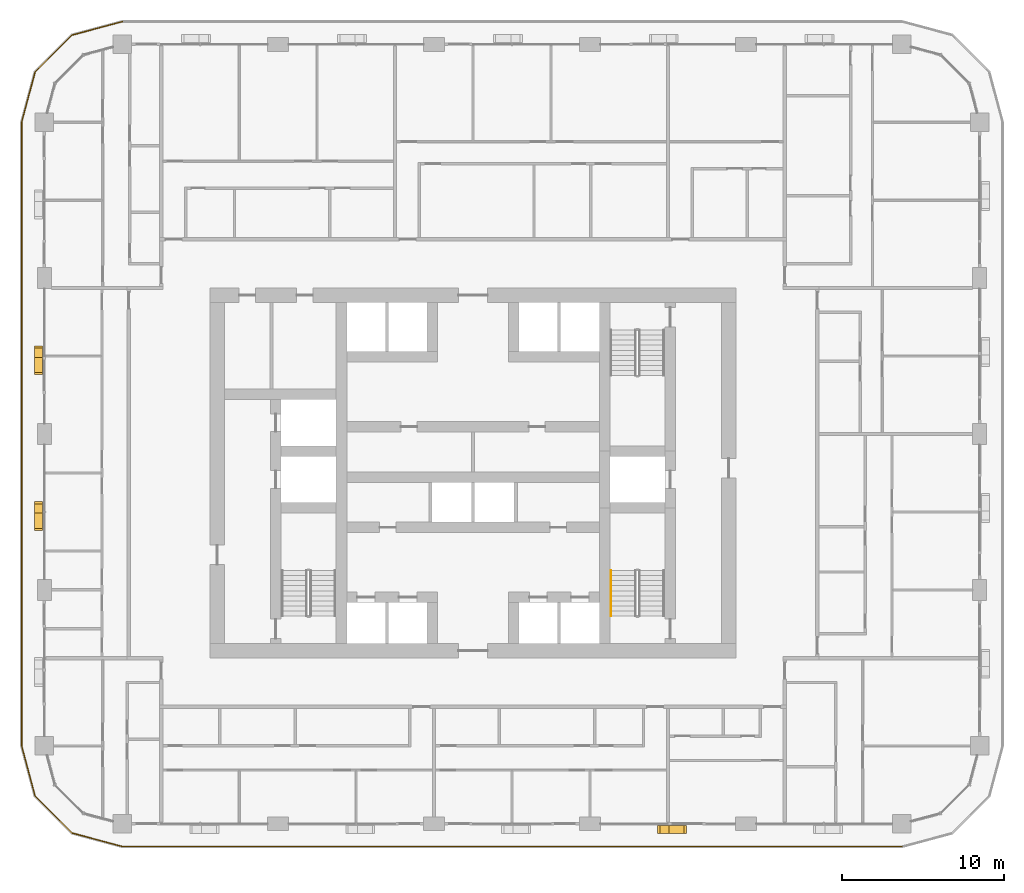
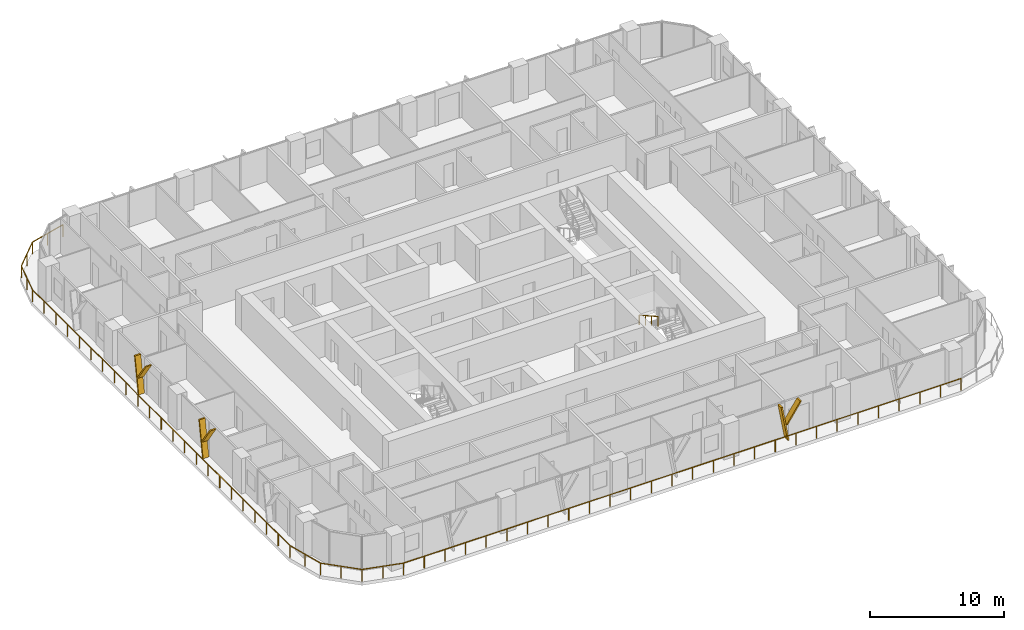
# One storey, part 17 of 21: 6 shading devices, 2 railings.
"""IFC4 building model written with IfcOpenShell, lengths in metres."""

from ifc_helpers import new_model, si_unit, direction, frame, origin, origin_2d, place, context, subcontext, project, spatial, polyline, circle, outline, extrude, material, type_object, element, save


model = new_model("IFC4")

# Units and contexts
model_context = context("Model", 3, precision=1e-05, world=origin(), true_north=direction((0.0, 1.0)))
body_context = subcontext(model_context, "Body", "Model", "MODEL_VIEW")
ifc_project = project(units=[si_unit("LENGTHUNIT", "METRE"), si_unit("AREAUNIT", "SQUARE_METRE"), si_unit("VOLUMEUNIT", "CUBIC_METRE"), si_unit("PLANEANGLEUNIT", "RADIAN"), si_unit("MASSUNIT", "GRAM", prefix="KILO")], contexts=[model_context])

# Site, building, storey
site_placement = place(None, origin())
site = spatial("IfcSite", under=ifc_project, at=site_placement, CompositionType="ELEMENT")
building_placement = place(site_placement, origin())
building = spatial("IfcBuilding", under=site, at=building_placement, Name="Madar Terraces", CompositionType="ELEMENT")
storey_placement = place(building_placement, frame((0.0, 0.0, 96.199951171875)))
storey = spatial("IfcBuildingStorey", under=building, at=storey_placement, Name="L24", CompositionType="ELEMENT", Elevation=96.199951171875)

# Railing
ifc_material_1 = material(Name="Glass, safety glazing, with stainless steel posts", Category="steel")
railing_type_1 = type_object("IfcRailingType", Name="Balcony glass guard 1100", PredefinedType="GUARDRAIL", material=ifc_material_1)
railing_1_placement = place(storey_placement, frame((9.60009765625, 54.199951171875, 0.0)))
element("IfcRailing", 1, at=railing_1_placement, inside=storey, type_object=railing_type_1, Name="Balcony guard", PredefinedType="GUARDRAIL", context=body_context, shape_type="SweptSolid", body=[
    extrude(circle(Radius=0.02392578125, at=origin_2d()), frame((0.0, 0.0, 1.076171875), z_axis=(-0.9659337912, -0.258789317819, 0.0), x_axis=(0.258789317819, -0.9659337912, 0.0)), (0.0, 0.0, 1.0), 3.20947265625),
    extrude(circle(Radius=0.02392578125, at=origin_2d()), frame((-3.10009765625, -0.83056640625, 1.076171875), z_axis=(-0.707106781187, -0.707106781187, 0.0), x_axis=(0.707106781187, -0.707106781187, 0.0)), (0.0, 0.0, 1.0), 3.209228515625),
    extrude(circle(Radius=0.02392578125, at=origin_2d()), frame((-5.369384765625, -3.099853515625, 1.076171875), z_axis=(-0.258860290944, -0.965914773555, 0.0), x_axis=(0.965914773555, -0.258860290944, 0.0)), (0.0, 0.0, 1.0), 3.20947265625),
    extrude(circle(Radius=0.02392578125, at=origin_2d()), frame((-6.2001953125, -6.199951171875, 1.076171875), z_axis=(0.0, -1.0, 0.0), x_axis=(1.0, 0.0, 0.0)), (0.0, 0.0, 1.0), 38.39990234375),
    extrude(circle(Radius=0.02392578125, at=origin_2d()), frame((-6.2001953125, -44.599853515625, 1.076171875), z_axis=(0.258860290944, -0.965914773555, 0.0), x_axis=(0.965914773555, 0.258860290944, 0.0)), (0.0, 0.0, 1.0), 3.20947265625),
    extrude(circle(Radius=0.02392578125, at=origin_2d()), frame((-5.369384765625, -47.699951171875, 1.076171875), z_axis=(0.707106781187, -0.707106781187, 0.0), x_axis=(0.707106781187, 0.707106781187, 0.0)), (0.0, 0.0, 1.0), 3.209228515625),
    extrude(circle(Radius=0.02392578125, at=origin_2d()), frame((-3.10009765625, -49.96923828125, 1.076171875), z_axis=(0.965914773555, -0.258860290944, 0.0), x_axis=(0.258860290944, 0.965914773555, 0.0)), (0.0, 0.0, 1.0), 3.20947265625),
    extrude(circle(Radius=0.02392578125, at=origin_2d()), frame((0.0, -50.800048828125, 1.076171875), z_axis=(1.0, 0.0, 0.0), x_axis=(0.0, 1.0, 0.0)), (0.0, 0.0, 1.0), 48.0),
    extrude(circle(Radius=0.02099609375, at=origin_2d()), origin(), (0.0, 0.0, 1.0), 1.052001953125),
    extrude(circle(Radius=0.02099609375, at=origin_2d()), frame((-1.550048828125, -0.415283203125, 0.0)), (0.0, 0.0, 1.0), 1.052001953125),
    extrude(circle(Radius=0.02099609375, at=origin_2d()), frame((-3.10009765625, -0.83056640625, 0.0)), (0.0, 0.0, 1.0), 1.052001953125),
    extrude(circle(Radius=0.02099609375, at=origin_2d()), frame((-4.23486328125, -1.96533203125, 0.0)), (0.0, 0.0, 1.0), 1.052001953125),
    extrude(circle(Radius=0.02099609375, at=origin_2d()), frame((-5.369384765625, -3.099853515625, 0.0)), (0.0, 0.0, 1.0), 1.052001953125),
    extrude(circle(Radius=0.02099609375, at=origin_2d()), frame((-5.78466796875, -4.64990234375, 0.0)), (0.0, 0.0, 1.0), 1.052001953125),
    extrude(circle(Radius=0.02099609375, at=origin_2d()), frame((-6.2001953125, -6.199951171875, 0.0)), (0.0, 0.0, 1.0), 1.052001953125),
    extrude(circle(Radius=0.02099609375, at=origin_2d()), frame((-6.2001953125, -7.9453125, 0.0)), (0.0, 0.0, 1.0), 1.052001953125),
    extrude(circle(Radius=0.02099609375, at=origin_2d()), frame((-6.2001953125, -9.69091796875, 0.0)), (0.0, 0.0, 1.0), 1.052001953125),
    extrude(circle(Radius=0.02099609375, at=origin_2d()), frame((-6.2001953125, -11.436279296875, 0.0)), (0.0, 0.0, 1.0), 1.052001953125),
    extrude(circle(Radius=0.02099609375, at=origin_2d()), frame((-6.2001953125, -13.181640625, 0.0)), (0.0, 0.0, 1.0), 1.052001953125),
    extrude(circle(Radius=0.02099609375, at=origin_2d()), frame((-6.2001953125, -14.92724609375, 0.0)), (0.0, 0.0, 1.0), 1.052001953125),
    extrude(circle(Radius=0.02099609375, at=origin_2d()), frame((-6.2001953125, -16.672607421875, 0.0)), (0.0, 0.0, 1.0), 1.052001953125),
    extrude(circle(Radius=0.02099609375, at=origin_2d()), frame((-6.2001953125, -18.418212890625, 0.0)), (0.0, 0.0, 1.0), 1.052001953125),
    extrude(circle(Radius=0.02099609375, at=origin_2d()), frame((-6.2001953125, -20.16357421875, 0.0)), (0.0, 0.0, 1.0), 1.052001953125),
    extrude(circle(Radius=0.02099609375, at=origin_2d()), frame((-6.2001953125, -21.908935546875, 0.0)), (0.0, 0.0, 1.0), 1.052001953125),
    extrude(circle(Radius=0.02099609375, at=origin_2d()), frame((-6.2001953125, -23.654541015625, 0.0)), (0.0, 0.0, 1.0), 1.052001953125),
    extrude(circle(Radius=0.02099609375, at=origin_2d()), frame((-6.2001953125, -25.39990234375, 0.0)), (0.0, 0.0, 1.0), 1.052001953125),
    extrude(circle(Radius=0.02099609375, at=origin_2d()), frame((-6.2001953125, -27.145263671875, 0.0)), (0.0, 0.0, 1.0), 1.052001953125),
    extrude(circle(Radius=0.02099609375, at=origin_2d()), frame((-6.2001953125, -28.890869140625, 0.0)), (0.0, 0.0, 1.0), 1.052001953125),
    extrude(circle(Radius=0.02099609375, at=origin_2d()), frame((-6.2001953125, -30.63623046875, 0.0)), (0.0, 0.0, 1.0), 1.052001953125),
    extrude(circle(Radius=0.02099609375, at=origin_2d()), frame((-6.2001953125, -32.381591796875, 0.0)), (0.0, 0.0, 1.0), 1.052001953125),
    extrude(circle(Radius=0.02099609375, at=origin_2d()), frame((-6.2001953125, -34.127197265625, 0.0)), (0.0, 0.0, 1.0), 1.052001953125),
    extrude(circle(Radius=0.02099609375, at=origin_2d()), frame((-6.2001953125, -35.87255859375, 0.0)), (0.0, 0.0, 1.0), 1.052001953125),
    extrude(circle(Radius=0.02099609375, at=origin_2d()), frame((-6.2001953125, -37.6181640625, 0.0)), (0.0, 0.0, 1.0), 1.052001953125),
    extrude(circle(Radius=0.02099609375, at=origin_2d()), frame((-6.2001953125, -39.363525390625, 0.0)), (0.0, 0.0, 1.0), 1.052001953125),
    extrude(circle(Radius=0.02099609375, at=origin_2d()), frame((-6.2001953125, -41.10888671875, 0.0)), (0.0, 0.0, 1.0), 1.052001953125),
    extrude(circle(Radius=0.02099609375, at=origin_2d()), frame((-6.2001953125, -42.8544921875, 0.0)), (0.0, 0.0, 1.0), 1.052001953125),
    extrude(circle(Radius=0.02099609375, at=origin_2d()), frame((-6.2001953125, -44.599853515625, 0.0)), (0.0, 0.0, 1.0), 1.052001953125),
    extrude(circle(Radius=0.02099609375, at=origin_2d()), frame((-5.78466796875, -46.14990234375, 0.0)), (0.0, 0.0, 1.0), 1.052001953125),
    extrude(circle(Radius=0.02099609375, at=origin_2d()), frame((-5.369384765625, -47.699951171875, 0.0)), (0.0, 0.0, 1.0), 1.052001953125),
    extrude(circle(Radius=0.02099609375, at=origin_2d()), frame((-4.23486328125, -48.83447265625, 0.0)), (0.0, 0.0, 1.0), 1.052001953125),
    extrude(circle(Radius=0.02099609375, at=origin_2d()), frame((-3.10009765625, -49.96923828125, 0.0)), (0.0, 0.0, 1.0), 1.052001953125),
    extrude(circle(Radius=0.02099609375, at=origin_2d()), frame((-1.550048828125, -50.384765625, 0.0)), (0.0, 0.0, 1.0), 1.052001953125),
    extrude(circle(Radius=0.02099609375, at=origin_2d()), frame((0.0, -50.800048828125, 0.0)), (0.0, 0.0, 1.0), 1.052001953125),
    extrude(circle(Radius=0.02099609375, at=origin_2d()), frame((1.77783203125, -50.800048828125, 0.0)), (0.0, 0.0, 1.0), 1.052001953125),
    extrude(circle(Radius=0.02099609375, at=origin_2d()), frame((3.5556640625, -50.800048828125, 0.0)), (0.0, 0.0, 1.0), 1.052001953125),
    extrude(circle(Radius=0.02099609375, at=origin_2d()), frame((5.333251953125, -50.800048828125, 0.0)), (0.0, 0.0, 1.0), 1.052001953125),
    extrude(circle(Radius=0.02099609375, at=origin_2d()), frame((7.111083984375, -50.800048828125, 0.0)), (0.0, 0.0, 1.0), 1.052001953125),
    extrude(circle(Radius=0.02099609375, at=origin_2d()), frame((8.888916015625, -50.800048828125, 0.0)), (0.0, 0.0, 1.0), 1.052001953125),
    extrude(circle(Radius=0.02099609375, at=origin_2d()), frame((10.666748046875, -50.800048828125, 0.0)), (0.0, 0.0, 1.0), 1.052001953125),
    extrude(circle(Radius=0.02099609375, at=origin_2d()), frame((12.4443359375, -50.800048828125, 0.0)), (0.0, 0.0, 1.0), 1.052001953125),
    extrude(circle(Radius=0.02099609375, at=origin_2d()), frame((14.22216796875, -50.800048828125, 0.0)), (0.0, 0.0, 1.0), 1.052001953125),
    extrude(circle(Radius=0.02099609375, at=origin_2d()), frame((16.0, -50.800048828125, 0.0)), (0.0, 0.0, 1.0), 1.052001953125),
    extrude(circle(Radius=0.02099609375, at=origin_2d()), frame((17.77783203125, -50.800048828125, 0.0)), (0.0, 0.0, 1.0), 1.052001953125),
    extrude(circle(Radius=0.02099609375, at=origin_2d()), frame((19.5556640625, -50.800048828125, 0.0)), (0.0, 0.0, 1.0), 1.052001953125),
    extrude(circle(Radius=0.02099609375, at=origin_2d()), frame((21.333251953125, -50.800048828125, 0.0)), (0.0, 0.0, 1.0), 1.052001953125),
    extrude(circle(Radius=0.02099609375, at=origin_2d()), frame((23.111083984375, -50.800048828125, 0.0)), (0.0, 0.0, 1.0), 1.052001953125),
    extrude(circle(Radius=0.02099609375, at=origin_2d()), frame((24.888916015625, -50.800048828125, 0.0)), (0.0, 0.0, 1.0), 1.052001953125),
    extrude(circle(Radius=0.02099609375, at=origin_2d()), frame((26.666748046875, -50.800048828125, 0.0)), (0.0, 0.0, 1.0), 1.052001953125),
    extrude(circle(Radius=0.02099609375, at=origin_2d()), frame((28.4443359375, -50.800048828125, 0.0)), (0.0, 0.0, 1.0), 1.052001953125),
    extrude(circle(Radius=0.02099609375, at=origin_2d()), frame((30.22216796875, -50.800048828125, 0.0)), (0.0, 0.0, 1.0), 1.052001953125),
    extrude(circle(Radius=0.02099609375, at=origin_2d()), frame((32.0, -50.800048828125, 0.0)), (0.0, 0.0, 1.0), 1.052001953125),
    extrude(circle(Radius=0.02099609375, at=origin_2d()), frame((33.77783203125, -50.800048828125, 0.0)), (0.0, 0.0, 1.0), 1.052001953125),
    extrude(circle(Radius=0.02099609375, at=origin_2d()), frame((35.5556640625, -50.800048828125, 0.0)), (0.0, 0.0, 1.0), 1.052001953125),
    extrude(circle(Radius=0.02099609375, at=origin_2d()), frame((37.333251953125, -50.800048828125, 0.0)), (0.0, 0.0, 1.0), 1.052001953125),
    extrude(circle(Radius=0.02099609375, at=origin_2d()), frame((39.111083984375, -50.800048828125, 0.0)), (0.0, 0.0, 1.0), 1.052001953125),
    extrude(circle(Radius=0.02099609375, at=origin_2d()), frame((40.888916015625, -50.800048828125, 0.0)), (0.0, 0.0, 1.0), 1.052001953125),
    extrude(circle(Radius=0.02099609375, at=origin_2d()), frame((42.666748046875, -50.800048828125, 0.0)), (0.0, 0.0, 1.0), 1.052001953125),
    extrude(circle(Radius=0.02099609375, at=origin_2d()), frame((44.4443359375, -50.800048828125, 0.0)), (0.0, 0.0, 1.0), 1.052001953125),
    extrude(circle(Radius=0.02099609375, at=origin_2d()), frame((46.22216796875, -50.800048828125, 0.0)), (0.0, 0.0, 1.0), 1.052001953125),
    extrude(circle(Radius=0.02099609375, at=origin_2d()), frame((48.0, -50.800048828125, 0.0)), (0.0, 0.0, 1.0), 1.052001953125),
])

# Shading devices
ifc_material_2 = material(Name="Aluminium, black anodised", Category="aluminium")
shading_device_type = type_object("IfcShadingDeviceType", Name="Facade fin blade 140 x 500", PredefinedType="USERDEFINED", material=ifc_material_2)
shading_device_1_placement = place(storey_placement, frame((43.1298828125, 4.449951171875, 0.0), z_axis=(0.0, 0.0, 1.0), x_axis=(1.0, 0.0, 0.0)))
element("IfcShadingDevice", 2, at=shading_device_1_placement, inside=storey, type_object=shading_device_type, Name="FIN L24 S4", ObjectType="FIN", PredefinedType="USERDEFINED", context=body_context, shape_type="SweptSolid", body=[
    extrude(outline(polyline([(0.0, 0.0), (0.14013671875, 0.0), (-0.42431640625, 3.199951171875), (-0.564208984375, 3.199951171875), (0.0, 0.0)])), frame((0.0, 0.25, 0.0), z_axis=(0.0, -1.0, 0.0), x_axis=(1.0, 0.0, 0.0)), (0.0, 0.0, 1.0), 0.5),
])
shading_device_2_placement = place(storey_placement, frame((43.01611328125, 4.449951171875, 1.43994140625), z_axis=(0.0, 0.0, 1.0), x_axis=(1.0, 0.0, 0.0)))
element("IfcShadingDevice", 3, at=shading_device_2_placement, inside=storey, type_object=shading_device_type, Name="FIN L24 S4 branch", ObjectType="FIN", PredefinedType="USERDEFINED", context=body_context, shape_type="SweptSolid", body=[
    extrude(outline(polyline([(0.0, 0.0), (0.139892578125, 0.0), (1.32958984375, 1.760009765625), (1.189697265625, 1.760009765625), (0.0, 0.0)])), frame((0.0, 0.25, 0.0), z_axis=(0.0, -1.0, 0.0), x_axis=(1.0, 0.0, 0.0)), (0.0, 0.0, 1.0), 0.5),
])
shading_device_3_placement = place(storey_placement, frame((4.449951171875, 33.669921875, 0.0), z_axis=(0.0, 0.0, 1.0), x_axis=(0.0, -1.0, 0.0)))
element("IfcShadingDevice", 4, at=shading_device_3_placement, inside=storey, type_object=shading_device_type, Name="FIN L24 W2", ObjectType="FIN", PredefinedType="USERDEFINED", context=body_context, shape_type="SweptSolid", body=[
    extrude(outline(polyline([(0.0, 0.0), (0.139892578125, 0.0), (-0.42431640625, 3.199951171875), (-0.564208984375, 3.199951171875), (0.0, 0.0)])), frame((0.0, 0.25, 0.0), z_axis=(0.0, -1.0, 0.0), x_axis=(1.0, 0.0, 0.0)), (0.0, 0.0, 1.0), 0.5),
])
shading_device_4_placement = place(storey_placement, frame((4.449951171875, 33.783935546875, 1.43994140625), z_axis=(0.0, 0.0, 1.0), x_axis=(0.0, -1.0, 0.0)))
element("IfcShadingDevice", 5, at=shading_device_4_placement, inside=storey, type_object=shading_device_type, Name="FIN L24 W2 branch", ObjectType="FIN", PredefinedType="USERDEFINED", context=body_context, shape_type="SweptSolid", body=[
    extrude(outline(polyline([(0.0, 0.0), (0.14013671875, 0.0), (1.32958984375, 1.760009765625), (1.189697265625, 1.760009765625), (0.0, 0.0)])), frame((0.0, 0.25, 0.0), z_axis=(0.0, -1.0, 0.0), x_axis=(1.0, 0.0, 0.0)), (0.0, 0.0, 1.0), 0.5),
])
shading_device_5_placement = place(storey_placement, frame((4.449951171875, 24.070068359375, 0.0), z_axis=(0.0, 0.0, 1.0), x_axis=(0.0, -1.0, 0.0)))
element("IfcShadingDevice", 6, at=shading_device_5_placement, inside=storey, type_object=shading_device_type, Name="FIN L24 W3", ObjectType="FIN", PredefinedType="USERDEFINED", context=body_context, shape_type="SweptSolid", body=[
    extrude(outline(polyline([(0.0, 0.0), (0.14013671875, 0.0), (-0.42431640625, 3.199951171875), (-0.564208984375, 3.199951171875), (0.0, 0.0)])), frame((0.0, 0.25, 0.0), z_axis=(0.0, -1.0, 0.0), x_axis=(1.0, 0.0, 0.0)), (0.0, 0.0, 1.0), 0.5),
])
shading_device_6_placement = place(storey_placement, frame((4.449951171875, 24.183837890625, 1.43994140625), z_axis=(0.0, 0.0, 1.0), x_axis=(0.0, -1.0, 0.0)))
element("IfcShadingDevice", 7, at=shading_device_6_placement, inside=storey, type_object=shading_device_type, Name="FIN L24 W3 branch", ObjectType="FIN", PredefinedType="USERDEFINED", context=body_context, shape_type="SweptSolid", body=[
    extrude(outline(polyline([(0.0, 0.0), (0.139892578125, 0.0), (1.32958984375, 1.760009765625), (1.189697265625, 1.760009765625), (0.0, 0.0)])), frame((0.0, 0.25, 0.0), z_axis=(0.0, -1.0, 0.0), x_axis=(1.0, 0.0, 0.0)), (0.0, 0.0, 1.0), 0.5),
])

# Railing
ifc_material_3 = material(Name="Stainless steel railing", Category="steel")
railing_type_2 = type_object("IfcRailingType", Name="Stair handrail 900", PredefinedType="HANDRAIL", material=ifc_material_3)
railing_2_placement = place(storey_placement, frame((39.699951171875, 20.389892578125, 1.925048828125)))
element("IfcRailing", 8, at=railing_2_placement, inside=storey, type_object=railing_type_2, Name="L24 ST3 stair handrail 2", PredefinedType="HANDRAIL", context=body_context, shape_type="SweptSolid", body=[
    extrude(circle(Radius=0.02392578125, at=origin_2d()), frame((0.0, 0.0, 0.8759765625), z_axis=(0.0, -0.870815363784, 0.491610213684), x_axis=(1.0, 0.0, 0.0)), (0.0, 0.0, 1.0), 3.20361328125),
    extrude(circle(Radius=0.02099609375, at=origin_2d()), origin(), (0.0, 0.0, 1.0), 0.851806640625),
    extrude(circle(Radius=0.02099609375, at=origin_2d()), frame((0.0, -0.929931640625, 0.52490234375)), (0.0, 0.0, 1.0), 0.851806640625),
    extrude(circle(Radius=0.02099609375, at=origin_2d()), frame((0.0, -1.85986328125, 1.050048828125)), (0.0, 0.0, 1.0), 0.851806640625),
    extrude(circle(Radius=0.02099609375, at=origin_2d()), frame((0.0, -2.789794921875, 1.574951171875)), (0.0, 0.0, 1.0), 0.851806640625),
])

save(model, "model.ifc")
